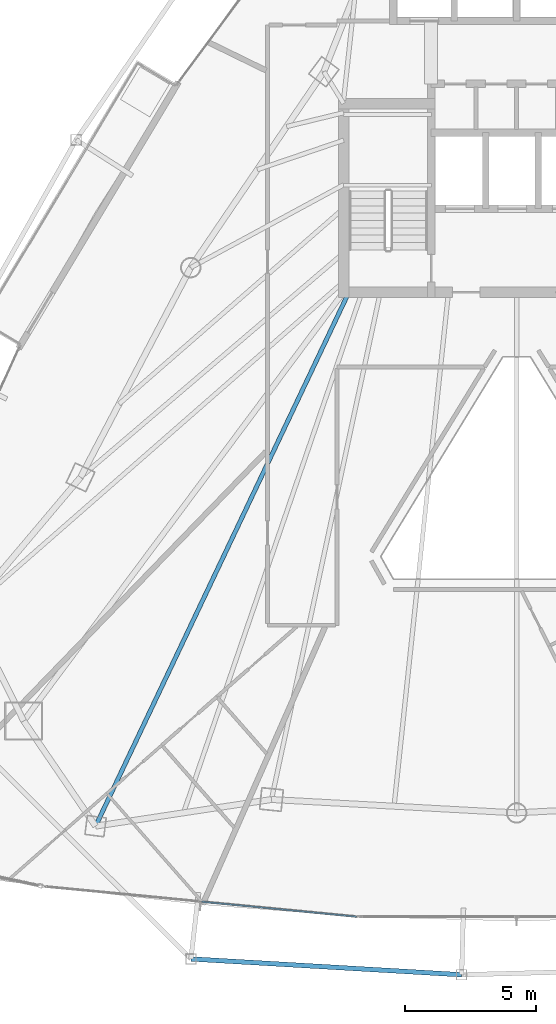
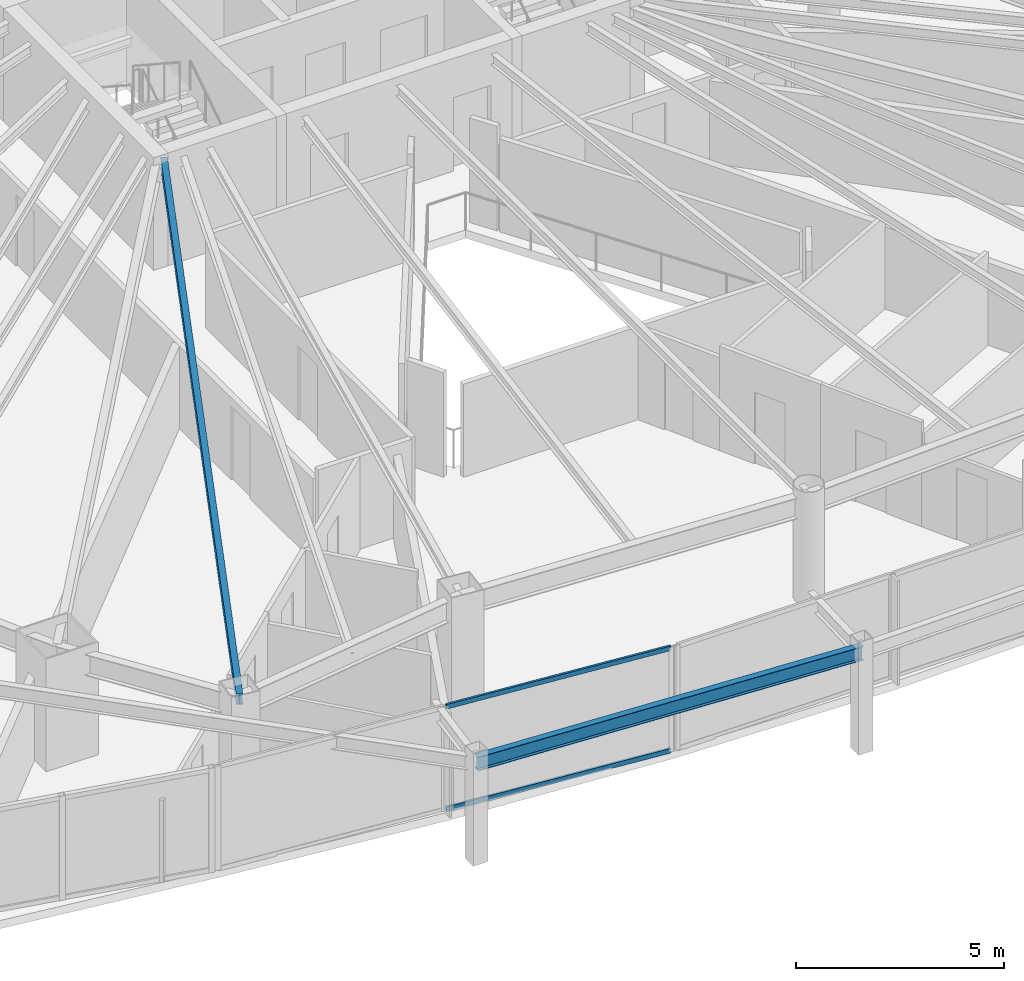
# One storey, part 6 of 31: 2 beams, 2 members, 1 element without a shape of its own.
"""IFC4 building model written with IfcOpenShell, lengths in metres."""

from ifc_helpers import new_model, si_unit, direction, frame, origin, origin_2d, place, context, subcontext, project, spatial, hollow_rectangle, i_section, extrude, material, layer, layer_set, material_profile, profile_set, type_object, element, aggregate, save


model = new_model("IFC4")

# Units and contexts
model_context = context("Model", 3, precision=1e-05, world=origin(), true_north=direction((0.0, 1.0)))
body_context = subcontext(model_context, "Body", "Model", "MODEL_VIEW")
ifc_project = project(units=[si_unit("LENGTHUNIT", "METRE"), si_unit("AREAUNIT", "SQUARE_METRE"), si_unit("VOLUMEUNIT", "CUBIC_METRE"), si_unit("PLANEANGLEUNIT", "RADIAN"), si_unit("MASSUNIT", "GRAM", prefix="KILO")], contexts=[model_context])

# Site, building, storey
site_placement = place(None, origin())
site = spatial("IfcSite", under=ifc_project, at=site_placement, CompositionType="ELEMENT")
building_placement = place(site_placement, origin())
building = spatial("IfcBuilding", under=site, at=building_placement, Name="Orvanel Arch Residences", CompositionType="ELEMENT")
storey_placement = place(building_placement, frame((0.0, 0.0, 106.699951171875)))
storey = spatial("IfcBuildingStorey", under=building, at=storey_placement, Name="L29", CompositionType="ELEMENT", Elevation=106.699951171875)

# Beams
ifc_material_1 = material(Name="Structural steel AS/NZS 3679.1 Grade 300 (300 MPa)", Category="steel")
ifc_material_profile_1 = material_profile(ifc_material_1, i_section(OverallWidth=0.1650390625, OverallDepth=0.303955078125, WebThickness=0.006103515625, FlangeThickness=0.01025390625, at=origin_2d()), Name="310UB40.4")
ifc_profile_set_1 = profile_set([ifc_material_profile_1], Name="Structural steel AS/NZS 3679.1 Grade 300 (300 MPa)")
beam_type_1 = type_object("IfcBeamType", Name="BJ-310UB", PredefinedType="JOIST", material=ifc_profile_set_1)
beam_1_placement = place(storey_placement, frame((26.60009765625, 26.699951171875, 2.907958984375), z_axis=(-0.428614365266, -0.903487534993, 0.0), x_axis=(0.903487534993, -0.428614365266, 0.0)))
element("IfcBeam", 1, at=beam_1_placement, inside=storey, type_object=beam_type_1, Name="L29 MSW Wing Floor Joist", PredefinedType="JOIST", context=body_context, shape_type="SweptSolid", body=[
    extrude(i_section(OverallWidth=0.1650390625, OverallDepth=0.303955078125, WebThickness=0.006103515625, FlangeThickness=0.01025390625, at=origin_2d()), origin(), (0.0, 0.0, 1.0), 22.535888671875),
])
ifc_material_profile_2 = material_profile(ifc_material_1, i_section(OverallWidth=0.177978515625, OverallDepth=0.406005859375, WebThickness=0.0078125, FlangeThickness=0.0126953125, at=origin_2d()), Name="410UB59.7")
ifc_profile_set_2 = profile_set([ifc_material_profile_2], Name="Structural steel AS/NZS 3679.1 Grade 300 (300 MPa)")
beam_type_2 = type_object("IfcBeamType", Name="OB-410UB-EXT", PredefinedType="SPANDREL", material=ifc_profile_set_2)
beam_2_placement = place(storey_placement, frame((20.576904296875, 1.27392578125, 2.85693359375), z_axis=(0.998299188296, -0.058298633324, 0.0), x_axis=(0.058298633324, 0.998299188296, 0.0)))
element("IfcBeam", 2, at=beam_2_placement, inside=storey, type_object=beam_type_2, Name="L29 Outer Perimeter Floor Ring Beam 05", PredefinedType="SPANDREL", context=body_context, shape_type="SweptSolid", body=[
    extrude(i_section(OverallWidth=0.177978515625, OverallDepth=0.406005859375, WebThickness=0.0078125, FlangeThickness=0.0126953125, at=origin_2d()), origin(), (0.0, 0.0, 1.0), 10.34375),
])

# Curtain wall, members
ifc_material_2 = material(Name="Bronze-anodised aluminium AA6063-T6", Category="aluminium")
ifc_layer = layer(ifc_material_2, 0.179931640625)
ifc_layer_set = layer_set([ifc_layer], Name="Bronze-anodised aluminium AA6063-T6")
curtain_wall_type = type_object("IfcCurtainWallType", Name="CW3-MID-SYS", PredefinedType="NOTDEFINED", material=ifc_layer_set)
curtain_wall_placement = place(storey_placement, origin())
curtain_wall = element("IfcCurtainWall", 3, at=curtain_wall_placement, inside=storey, type_object=curtain_wall_type, Name="L29 CW3-MID-SYS Unitised Curtain Wall", PredefinedType="NOTDEFINED")
ifc_material_profile_3 = material_profile(ifc_material_2, hollow_rectangle(XDim=0.06005859375, YDim=0.135009765625, WallThickness=0.00390625, at=origin_2d()), Name="ALU135x60x4")
ifc_profile_set_3 = profile_set([ifc_material_profile_3], Name="Bronze-anodised aluminium AA6063-T6")
member_type = type_object("IfcMemberType", Name="TRN-135x60", PredefinedType="USERDEFINED", material=ifc_profile_set_3)
member_1_placement = place(storey_placement, frame((20.98828125, 3.45654296875, 0.030029296875), z_axis=(0.995382573688, -0.095987144967, 0.0), x_axis=(0.095987144967, 0.995382573688, 0.0)))
member_1 = element("IfcMember", 4, at=member_1_placement, type_object=member_type, Name="CW-S3 transom 2.1", ObjectType="TRANSOM", PredefinedType="USERDEFINED", context=body_context, shape_type="SweptSolid", body=[
    extrude(hollow_rectangle(XDim=0.06005859375, YDim=0.135009765625, WallThickness=0.00390625, at=origin_2d()), origin(), (0.0, 0.0, 1.0), 5.92626953125),
])
member_2_placement = place(storey_placement, frame((20.98828125, 3.45654296875, 3.030029296875), z_axis=(0.995382573688, -0.095987144967, 0.0), x_axis=(0.095987144967, 0.995382573688, 0.0)))
member_2 = element("IfcMember", 5, at=member_2_placement, type_object=member_type, Name="CW-S3 transom 2.2", ObjectType="TRANSOM", PredefinedType="USERDEFINED", context=body_context, shape_type="SweptSolid", body=[
    extrude(hollow_rectangle(XDim=0.06005859375, YDim=0.135009765625, WallThickness=0.00390625, at=origin_2d()), origin(), (0.0, 0.0, 1.0), 5.92626953125),
])
aggregate(curtain_wall, [member_1, member_2])

save(model, "model.ifc")
